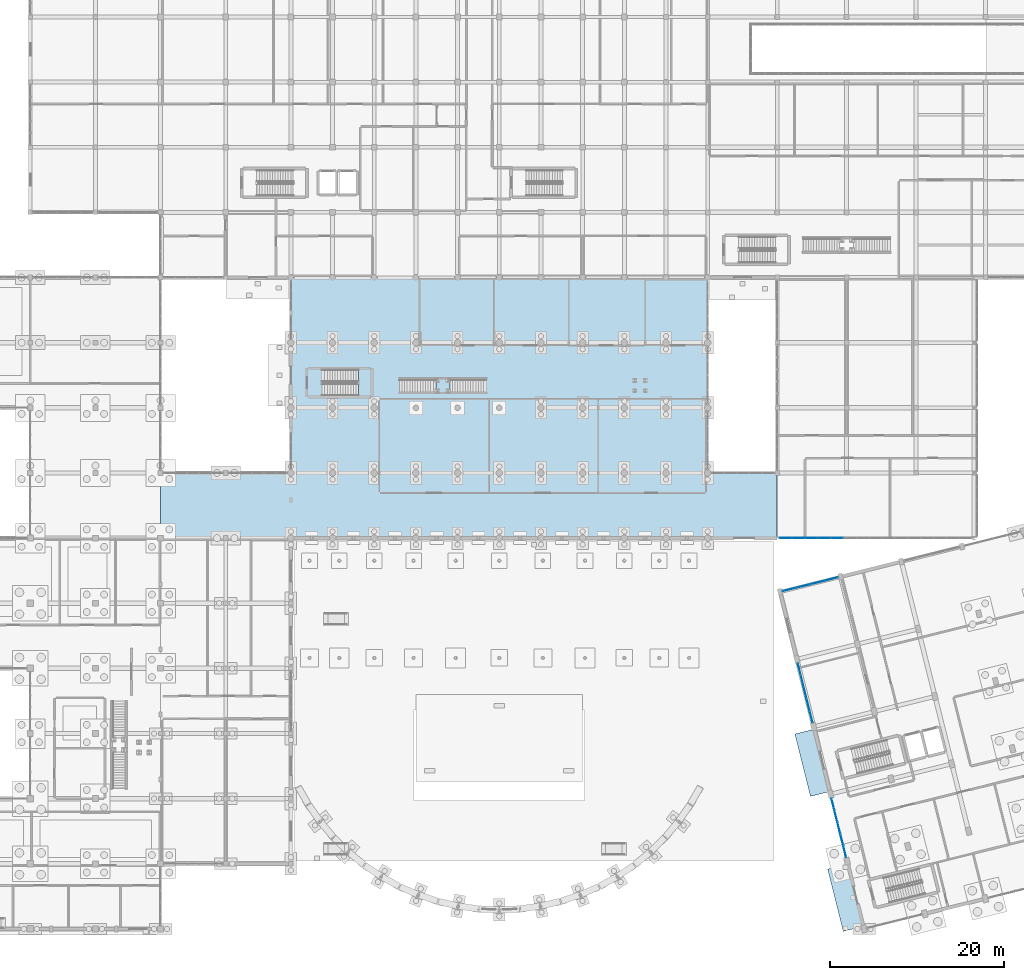
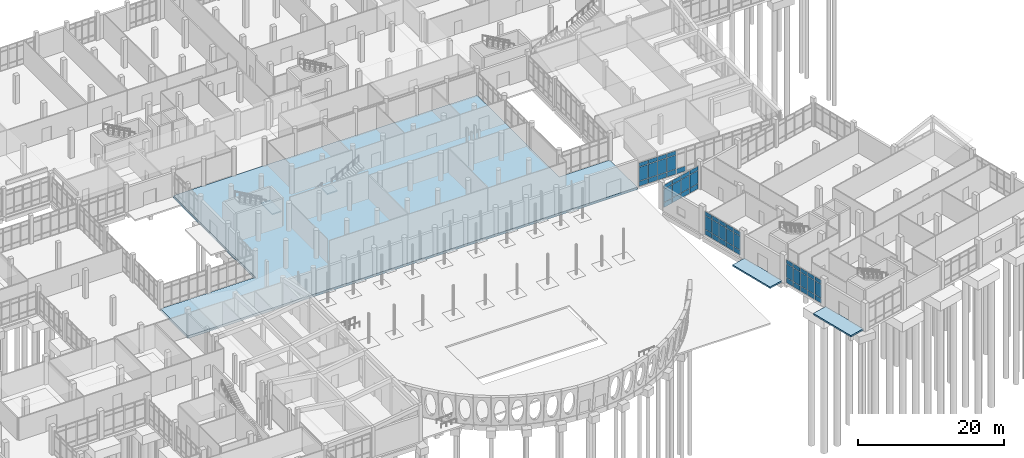
# One storey, part 131 of 173: 55 plates, 5 slabs, 6 elements without a shape of their own.
"""IFC4 building model written with IfcOpenShell, lengths in metres."""

from ifc_helpers import new_model, si_unit, direction, frame, origin, origin_2d, place, context, subcontext, project, spatial, polyline, rectangle, outline, extrude, material, layer, layer_set, type_object, element, aggregate, save


model = new_model("IFC4")

# Units and contexts
model_context = context("Model", 3, precision=1e-05, world=origin(), true_north=direction((0.0, 1.0)))
body_context = subcontext(model_context, "Body", "Model", "MODEL_VIEW")
ifc_project = project(units=[si_unit("LENGTHUNIT", "METRE"), si_unit("AREAUNIT", "SQUARE_METRE"), si_unit("VOLUMEUNIT", "CUBIC_METRE"), si_unit("PLANEANGLEUNIT", "RADIAN"), si_unit("MASSUNIT", "GRAM", prefix="KILO")], contexts=[model_context])

# Site, building, storey
site_placement = place(None, origin())
site = spatial("IfcSite", under=ifc_project, at=site_placement, CompositionType="ELEMENT")
building_placement = place(site_placement, origin())
building = spatial("IfcBuilding", under=site, at=building_placement, Name="Mawjan Specialist Oncology Clinic", CompositionType="ELEMENT")
storey_placement = place(building_placement, origin())
storey = spatial("IfcBuildingStorey", under=building, at=storey_placement, Name="L00", CompositionType="ELEMENT", Elevation=0.0)

# Slabs
ifc_material_1 = material(Name="Concrete C40/50", Category="concrete")
ifc_layer_1 = layer(ifc_material_1, 0.25, Name="Concrete C40/50", Category="concrete")
ifc_layer_set_1 = layer_set([ifc_layer_1], Name="Concrete C40/50")
slab_type_1 = type_object("IfcSlabType", Name="AP-250", PredefinedType="BASESLAB", material=ifc_layer_set_1)
slab_1_placement = place(storey_placement, frame((0.0, 0.0, -0.25)))
element("IfcSlab", 1, at=slab_1_placement, inside=storey, type_object=slab_type_1, Name="Ground Exterior Paved Apron SLB-APR-K6", PredefinedType="BASESLAB", context=body_context, shape_type="SweptSolid", body=[
    extrude(outline(polyline([(123.5986328125, 0.510498046875), (125.927490234375, 1.091064453125), (124.13720703125, 8.271240234375), (121.80859375, 7.690673828125), (123.5986328125, 0.510498046875)])), origin(), (0.0, 0.0, 1.0), 0.25),
])
slab_2_placement = place(storey_placement, frame((0.0, 0.0, -0.25)))
element("IfcSlab", 2, at=slab_2_placement, inside=storey, type_object=slab_type_1, Name="Ground Exterior Paved Apron SLB-APR-K5", PredefinedType="BASESLAB", context=body_context, shape_type="SweptSolid", body=[
    extrude(outline(polyline([(119.824951171875, 16.059326171875), (122.056640625, 16.61572265625), (120.266357421875, 23.7958984375), (118.03466796875, 23.239501953125), (119.824951171875, 16.059326171875)])), origin(), (0.0, 0.0, 1.0), 0.25),
])

# Curtain wall, plates
ifc_material_2 = material(Name="Unitised spectrally selective aluminium curtain wall", Category="aluminium")
ifc_layer_2 = layer(ifc_material_2, 0.179931640625, Name="Unitised spectrally selective aluminium curtain wall", Category="aluminium")
ifc_layer_set_2 = layer_set([ifc_layer_2], Name="Unitised spectrally selective aluminium curtain wall")
curtain_wall_type_1 = type_object("IfcCurtainWallType", Name="CW-20", PredefinedType="NOTDEFINED", material=ifc_layer_set_2)
curtain_wall_1_placement = place(storey_placement, origin())
curtain_wall_1 = element("IfcCurtainWall", 3, at=curtain_wall_1_placement, inside=storey, type_object=curtain_wall_type_1, Name="L00 Unitised Curtain Wall CW-L00-036", PredefinedType="NOTDEFINED")
ifc_material_3 = material(Name="Spectrally selective double low-E glazing", Category="glass")
ifc_layer_3 = layer(ifc_material_3, 0.035888671875, Name="Spectrally selective double low-E glazing", Category="glass")
ifc_layer_set_3 = layer_set([ifc_layer_3], Name="Spectrally selective double low-E glazing")
plate_type = type_object("IfcPlateType", Name="CW-P36", PredefinedType="CURTAIN_PANEL", material=ifc_layer_set_3)
plate_1_placement = place(storey_placement, frame((122.89453125, 45.800048828125, 0.06494140625), z_axis=(0.0, 0.0, 1.0), x_axis=(-1.0, 0.0, 0.0)))
plate_1 = element("IfcPlate", 4, at=plate_1_placement, type_object=plate_type, Name="CW-20 panel 11.1", PredefinedType="CURTAIN_PANEL", context=body_context, shape_type="SweptSolid", body=[
    extrude(rectangle(XDim=1.41943359375, YDim=0.035888671875, at=origin_2d()), origin(), (0.0, 0.0, 1.0), 0.802490234375),
])
plate_2_placement = place(storey_placement, frame((121.41015625, 45.800048828125, 0.06494140625), z_axis=(0.0, 0.0, 1.0), x_axis=(-1.0, 0.0, 0.0)))
plate_2 = element("IfcPlate", 5, at=plate_2_placement, type_object=plate_type, Name="CW-20 panel 12.1", PredefinedType="CURTAIN_PANEL", context=body_context, shape_type="SweptSolid", body=[
    extrude(rectangle(XDim=1.41943359375, YDim=0.035888671875, at=origin_2d()), origin(), (0.0, 0.0, 1.0), 0.802490234375),
])
plate_3_placement = place(storey_placement, frame((121.41015625, 45.800048828125, 0.932373046875), z_axis=(0.0, 0.0, 1.0), x_axis=(-1.0, 0.0, 0.0)))
plate_3 = element("IfcPlate", 6, at=plate_3_placement, type_object=plate_type, Name="CW-20 panel 12.2", PredefinedType="CURTAIN_PANEL", context=body_context, shape_type="SweptSolid", body=[
    extrude(rectangle(XDim=1.41943359375, YDim=0.035888671875, at=origin_2d()), origin(), (0.0, 0.0, 1.0), 2.3046875),
])
plate_4_placement = place(storey_placement, frame((121.41015625, 45.800048828125, 3.30224609375), z_axis=(0.0, 0.0, 1.0), x_axis=(-1.0, 0.0, 0.0)))
plate_4 = element("IfcPlate", 7, at=plate_4_placement, type_object=plate_type, Name="CW-20 panel 12.3", PredefinedType="CURTAIN_PANEL", context=body_context, shape_type="SweptSolid", body=[
    extrude(rectangle(XDim=1.41943359375, YDim=0.035888671875, at=origin_2d()), origin(), (0.0, 0.0, 1.0), 0.652587890625),
])
plate_5_placement = place(storey_placement, frame((119.92578125, 45.800048828125, 0.06494140625), z_axis=(0.0, 0.0, 1.0), x_axis=(-1.0, 0.0, 0.0)))
plate_5 = element("IfcPlate", 8, at=plate_5_placement, type_object=plate_type, Name="CW-20 panel 13.1", PredefinedType="CURTAIN_PANEL", context=body_context, shape_type="SweptSolid", body=[
    extrude(rectangle(XDim=1.41943359375, YDim=0.035888671875, at=origin_2d()), origin(), (0.0, 0.0, 1.0), 0.802490234375),
])
plate_6_placement = place(storey_placement, frame((119.92578125, 45.800048828125, 0.932373046875), z_axis=(0.0, 0.0, 1.0), x_axis=(-1.0, 0.0, 0.0)))
plate_6 = element("IfcPlate", 9, at=plate_6_placement, type_object=plate_type, Name="CW-20 panel 13.2", PredefinedType="CURTAIN_PANEL", context=body_context, shape_type="SweptSolid", body=[
    extrude(rectangle(XDim=1.41943359375, YDim=0.035888671875, at=origin_2d()), origin(), (0.0, 0.0, 1.0), 2.3046875),
])
plate_7_placement = place(storey_placement, frame((119.92578125, 45.800048828125, 3.30224609375), z_axis=(0.0, 0.0, 1.0), x_axis=(-1.0, 0.0, 0.0)))
plate_7 = element("IfcPlate", 10, at=plate_7_placement, type_object=plate_type, Name="CW-20 panel 13.3", PredefinedType="CURTAIN_PANEL", context=body_context, shape_type="SweptSolid", body=[
    extrude(rectangle(XDim=1.41943359375, YDim=0.035888671875, at=origin_2d()), origin(), (0.0, 0.0, 1.0), 0.652587890625),
])
plate_8_placement = place(storey_placement, frame((118.44140625, 45.800048828125, 0.06494140625), z_axis=(0.0, 0.0, 1.0), x_axis=(-1.0, 0.0, 0.0)))
plate_8 = element("IfcPlate", 11, at=plate_8_placement, type_object=plate_type, Name="CW-20 panel 14.1", PredefinedType="CURTAIN_PANEL", context=body_context, shape_type="SweptSolid", body=[
    extrude(rectangle(XDim=1.41943359375, YDim=0.035888671875, at=origin_2d()), origin(), (0.0, 0.0, 1.0), 0.802490234375),
])
plate_9_placement = place(storey_placement, frame((118.44140625, 45.800048828125, 0.932373046875), z_axis=(0.0, 0.0, 1.0), x_axis=(-1.0, 0.0, 0.0)))
plate_9 = element("IfcPlate", 12, at=plate_9_placement, type_object=plate_type, Name="CW-20 panel 14.2", PredefinedType="CURTAIN_PANEL", context=body_context, shape_type="SweptSolid", body=[
    extrude(rectangle(XDim=1.41943359375, YDim=0.035888671875, at=origin_2d()), origin(), (0.0, 0.0, 1.0), 2.3046875),
])
plate_10_placement = place(storey_placement, frame((118.44140625, 45.800048828125, 3.30224609375), z_axis=(0.0, 0.0, 1.0), x_axis=(-1.0, 0.0, 0.0)))
plate_10 = element("IfcPlate", 13, at=plate_10_placement, type_object=plate_type, Name="CW-20 panel 14.3", PredefinedType="CURTAIN_PANEL", context=body_context, shape_type="SweptSolid", body=[
    extrude(rectangle(XDim=1.41943359375, YDim=0.035888671875, at=origin_2d()), origin(), (0.0, 0.0, 1.0), 0.652587890625),
])
plate_11_placement = place(storey_placement, frame((116.973388671875, 45.800048828125, 0.06494140625), z_axis=(0.0, 0.0, 1.0), x_axis=(-1.0, 0.0, 0.0)))
plate_11 = element("IfcPlate", 14, at=plate_11_placement, type_object=plate_type, Name="CW-20 panel 15.1", PredefinedType="CURTAIN_PANEL", context=body_context, shape_type="SweptSolid", body=[
    extrude(rectangle(XDim=1.38671875, YDim=0.035888671875, at=origin_2d()), origin(), (0.0, 0.0, 1.0), 0.802490234375),
])
plate_12_placement = place(storey_placement, frame((116.973388671875, 45.800048828125, 0.932373046875), z_axis=(0.0, 0.0, 1.0), x_axis=(-1.0, 0.0, 0.0)))
plate_12 = element("IfcPlate", 15, at=plate_12_placement, type_object=plate_type, Name="CW-20 panel 15.2", PredefinedType="CURTAIN_PANEL", context=body_context, shape_type="SweptSolid", body=[
    extrude(rectangle(XDim=1.38671875, YDim=0.035888671875, at=origin_2d()), origin(), (0.0, 0.0, 1.0), 2.3046875),
])
plate_13_placement = place(storey_placement, frame((116.973388671875, 45.800048828125, 3.30224609375), z_axis=(0.0, 0.0, 1.0), x_axis=(-1.0, 0.0, 0.0)))
plate_13 = element("IfcPlate", 16, at=plate_13_placement, type_object=plate_type, Name="CW-20 panel 15.3", PredefinedType="CURTAIN_PANEL", context=body_context, shape_type="SweptSolid", body=[
    extrude(rectangle(XDim=1.38671875, YDim=0.035888671875, at=origin_2d()), origin(), (0.0, 0.0, 1.0), 0.652587890625),
])
aggregate(curtain_wall_1, [plate_1, plate_2, plate_3, plate_4, plate_5, plate_6, plate_7, plate_8, plate_9, plate_10, plate_11, plate_12, plate_13])

ifc_material_4 = material(Name="Unitised spectrally selective aluminium curtain wall", Category="aluminium")
ifc_layer_4 = layer(ifc_material_4, 0.179931640625, Name="Unitised spectrally selective aluminium curtain wall", Category="aluminium")
ifc_layer_set_4 = layer_set([ifc_layer_4], Name="Unitised spectrally selective aluminium curtain wall")
curtain_wall_type_2 = type_object("IfcCurtainWallType", Name="CW-38", PredefinedType="NOTDEFINED", material=ifc_layer_set_4)
curtain_wall_2_placement = place(storey_placement, origin())
curtain_wall_2 = element("IfcCurtainWall", 17, at=curtain_wall_2_placement, inside=storey, type_object=curtain_wall_type_2, Name="L00 Unitised Curtain Wall CW-L00-079", PredefinedType="NOTDEFINED")
plate_14_placement = place(storey_placement, frame((123.776123046875, 9.71923828125, 0.06494140625), z_axis=(0.0, 0.0, 1.0), x_axis=(-0.241922078835, 0.97029568059, 0.0)))
plate_14 = element("IfcPlate", 18, at=plate_14_placement, type_object=plate_type, Name="CW-38 panel 1.1", PredefinedType="CURTAIN_PANEL", context=body_context, shape_type="SweptSolid", body=[
    extrude(rectangle(XDim=1.314453125, YDim=0.035888671875, at=origin_2d()), origin(), (0.0, 0.0, 1.0), 0.802490234375),
])
plate_15_placement = place(storey_placement, frame((123.776123046875, 9.71923828125, 0.932373046875), z_axis=(0.0, 0.0, 1.0), x_axis=(-0.241922078835, 0.97029568059, 0.0)))
plate_15 = element("IfcPlate", 19, at=plate_15_placement, type_object=plate_type, Name="CW-38 panel 1.2", PredefinedType="CURTAIN_PANEL", context=body_context, shape_type="SweptSolid", body=[
    extrude(rectangle(XDim=1.314453125, YDim=0.035888671875, at=origin_2d()), origin(), (0.0, 0.0, 1.0), 2.27001953125),
])
plate_16_placement = place(storey_placement, frame((123.776123046875, 9.71923828125, 3.267578125), z_axis=(0.0, 0.0, 1.0), x_axis=(-0.241922078835, 0.97029568059, 0.0)))
plate_16 = element("IfcPlate", 20, at=plate_16_placement, type_object=plate_type, Name="CW-38 panel 1.3", PredefinedType="CURTAIN_PANEL", context=body_context, shape_type="SweptSolid", body=[
    extrude(rectangle(XDim=1.314453125, YDim=0.035888671875, at=origin_2d()), origin(), (0.0, 0.0, 1.0), 0.652587890625),
])
plate_17_placement = place(storey_placement, frame((123.4384765625, 11.073486328125, 0.06494140625), z_axis=(0.0, 0.0, 1.0), x_axis=(-0.241922078835, 0.97029568059, 0.0)))
plate_17 = element("IfcPlate", 21, at=plate_17_placement, type_object=plate_type, Name="CW-38 panel 2.1", PredefinedType="CURTAIN_PANEL", context=body_context, shape_type="SweptSolid", body=[
    extrude(rectangle(XDim=1.346923828125, YDim=0.035888671875, at=origin_2d()), origin(), (0.0, 0.0, 1.0), 0.802490234375),
])
plate_18_placement = place(storey_placement, frame((123.4384765625, 11.073486328125, 0.932373046875), z_axis=(0.0, 0.0, 1.0), x_axis=(-0.241922078835, 0.97029568059, 0.0)))
plate_18 = element("IfcPlate", 22, at=plate_18_placement, type_object=plate_type, Name="CW-38 panel 2.2", PredefinedType="CURTAIN_PANEL", context=body_context, shape_type="SweptSolid", body=[
    extrude(rectangle(XDim=1.346923828125, YDim=0.035888671875, at=origin_2d()), origin(), (0.0, 0.0, 1.0), 2.27001953125),
])
plate_19_placement = place(storey_placement, frame((123.4384765625, 11.073486328125, 3.267578125), z_axis=(0.0, 0.0, 1.0), x_axis=(-0.241922078835, 0.97029568059, 0.0)))
plate_19 = element("IfcPlate", 23, at=plate_19_placement, type_object=plate_type, Name="CW-38 panel 2.3", PredefinedType="CURTAIN_PANEL", context=body_context, shape_type="SweptSolid", body=[
    extrude(rectangle(XDim=1.346923828125, YDim=0.035888671875, at=origin_2d()), origin(), (0.0, 0.0, 1.0), 0.652587890625),
])
plate_20_placement = place(storey_placement, frame((123.096923828125, 12.443603515625, 0.06494140625), z_axis=(0.0, 0.0, 1.0), x_axis=(-0.241922078835, 0.97029568059, 0.0)))
plate_20 = element("IfcPlate", 24, at=plate_20_placement, type_object=plate_type, Name="CW-38 panel 3.1", PredefinedType="CURTAIN_PANEL", context=body_context, shape_type="SweptSolid", body=[
    extrude(rectangle(XDim=1.346923828125, YDim=0.035888671875, at=origin_2d()), origin(), (0.0, 0.0, 1.0), 0.802490234375),
])
plate_21_placement = place(storey_placement, frame((123.096923828125, 12.443603515625, 0.932373046875), z_axis=(0.0, 0.0, 1.0), x_axis=(-0.241922078835, 0.97029568059, 0.0)))
plate_21 = element("IfcPlate", 25, at=plate_21_placement, type_object=plate_type, Name="CW-38 panel 3.2", PredefinedType="CURTAIN_PANEL", context=body_context, shape_type="SweptSolid", body=[
    extrude(rectangle(XDim=1.346923828125, YDim=0.035888671875, at=origin_2d()), origin(), (0.0, 0.0, 1.0), 2.27001953125),
])
plate_22_placement = place(storey_placement, frame((123.096923828125, 12.443603515625, 3.267578125), z_axis=(0.0, 0.0, 1.0), x_axis=(-0.241922078835, 0.97029568059, 0.0)))
plate_22 = element("IfcPlate", 26, at=plate_22_placement, type_object=plate_type, Name="CW-38 panel 3.3", PredefinedType="CURTAIN_PANEL", context=body_context, shape_type="SweptSolid", body=[
    extrude(rectangle(XDim=1.346923828125, YDim=0.035888671875, at=origin_2d()), origin(), (0.0, 0.0, 1.0), 0.652587890625),
])
plate_23_placement = place(storey_placement, frame((122.75537109375, 13.813720703125, 0.06494140625), z_axis=(0.0, 0.0, 1.0), x_axis=(-0.241922078835, 0.97029568059, 0.0)))
plate_23 = element("IfcPlate", 27, at=plate_23_placement, type_object=plate_type, Name="CW-38 panel 4.1", PredefinedType="CURTAIN_PANEL", context=body_context, shape_type="SweptSolid", body=[
    extrude(rectangle(XDim=1.346923828125, YDim=0.035888671875, at=origin_2d()), origin(), (0.0, 0.0, 1.0), 0.802490234375),
])
plate_24_placement = place(storey_placement, frame((122.75537109375, 13.813720703125, 0.932373046875), z_axis=(0.0, 0.0, 1.0), x_axis=(-0.241922078835, 0.97029568059, 0.0)))
plate_24 = element("IfcPlate", 28, at=plate_24_placement, type_object=plate_type, Name="CW-38 panel 4.2", PredefinedType="CURTAIN_PANEL", context=body_context, shape_type="SweptSolid", body=[
    extrude(rectangle(XDim=1.346923828125, YDim=0.035888671875, at=origin_2d()), origin(), (0.0, 0.0, 1.0), 2.27001953125),
])
plate_25_placement = place(storey_placement, frame((122.75537109375, 13.813720703125, 3.267578125), z_axis=(0.0, 0.0, 1.0), x_axis=(-0.241922078835, 0.97029568059, 0.0)))
plate_25 = element("IfcPlate", 29, at=plate_25_placement, type_object=plate_type, Name="CW-38 panel 4.3", PredefinedType="CURTAIN_PANEL", context=body_context, shape_type="SweptSolid", body=[
    extrude(rectangle(XDim=1.346923828125, YDim=0.035888671875, at=origin_2d()), origin(), (0.0, 0.0, 1.0), 0.652587890625),
])
plate_26_placement = place(storey_placement, frame((122.417724609375, 15.16796875, 0.06494140625), z_axis=(0.0, 0.0, 1.0), x_axis=(-0.241922078835, 0.97029568059, 0.0)))
plate_26 = element("IfcPlate", 30, at=plate_26_placement, type_object=plate_type, Name="CW-38 panel 5.1", PredefinedType="CURTAIN_PANEL", context=body_context, shape_type="SweptSolid", body=[
    extrude(rectangle(XDim=1.314453125, YDim=0.035888671875, at=origin_2d()), origin(), (0.0, 0.0, 1.0), 0.802490234375),
])
plate_27_placement = place(storey_placement, frame((122.417724609375, 15.16796875, 0.932373046875), z_axis=(0.0, 0.0, 1.0), x_axis=(-0.241922078835, 0.97029568059, 0.0)))
plate_27 = element("IfcPlate", 31, at=plate_27_placement, type_object=plate_type, Name="CW-38 panel 5.2", PredefinedType="CURTAIN_PANEL", context=body_context, shape_type="SweptSolid", body=[
    extrude(rectangle(XDim=1.314453125, YDim=0.035888671875, at=origin_2d()), origin(), (0.0, 0.0, 1.0), 2.27001953125),
])
plate_28_placement = place(storey_placement, frame((122.417724609375, 15.16796875, 3.267578125), z_axis=(0.0, 0.0, 1.0), x_axis=(-0.241922078835, 0.97029568059, 0.0)))
plate_28 = element("IfcPlate", 32, at=plate_28_placement, type_object=plate_type, Name="CW-38 panel 5.3", PredefinedType="CURTAIN_PANEL", context=body_context, shape_type="SweptSolid", body=[
    extrude(rectangle(XDim=1.314453125, YDim=0.035888671875, at=origin_2d()), origin(), (0.0, 0.0, 1.0), 0.652587890625),
])
aggregate(curtain_wall_2, [plate_14, plate_15, plate_16, plate_17, plate_18, plate_19, plate_20, plate_21, plate_22, plate_23, plate_24, plate_25, plate_26, plate_27, plate_28])

ifc_material_5 = material(Name="Unitised spectrally selective aluminium curtain wall", Category="aluminium")
ifc_layer_5 = layer(ifc_material_5, 0.179931640625, Name="Unitised spectrally selective aluminium curtain wall", Category="aluminium")
ifc_layer_set_5 = layer_set([ifc_layer_5], Name="Unitised spectrally selective aluminium curtain wall")
curtain_wall_type_3 = type_object("IfcCurtainWallType", Name="CW-39", PredefinedType="NOTDEFINED", material=ifc_layer_set_5)
curtain_wall_3_placement = place(storey_placement, origin())
curtain_wall_3 = element("IfcCurtainWall", 33, at=curtain_wall_3_placement, inside=storey, type_object=curtain_wall_type_3, Name="L00 Unitised Curtain Wall CW-L00-080", PredefinedType="NOTDEFINED")
plate_29_placement = place(storey_placement, frame((119.90478515625, 25.246337890625, 0.06494140625), z_axis=(0.0, 0.0, 1.0), x_axis=(-0.24192205179, 0.970295687333, 0.0)))
plate_29 = element("IfcPlate", 34, at=plate_29_placement, type_object=plate_type, Name="CW-39 panel 1.1", PredefinedType="CURTAIN_PANEL", context=body_context, shape_type="SweptSolid", body=[
    extrude(rectangle(XDim=1.319580078125, YDim=0.035888671875, at=origin_2d()), origin(), (0.0, 0.0, 1.0), 0.802490234375),
])
plate_30_placement = place(storey_placement, frame((119.90478515625, 25.246337890625, 0.932373046875), z_axis=(0.0, 0.0, 1.0), x_axis=(-0.24192205179, 0.970295687333, 0.0)))
plate_30 = element("IfcPlate", 35, at=plate_30_placement, type_object=plate_type, Name="CW-39 panel 1.2", PredefinedType="CURTAIN_PANEL", context=body_context, shape_type="SweptSolid", body=[
    extrude(rectangle(XDim=1.319580078125, YDim=0.035888671875, at=origin_2d()), origin(), (0.0, 0.0, 1.0), 2.27001953125),
])
plate_31_placement = place(storey_placement, frame((119.90478515625, 25.246337890625, 3.267578125), z_axis=(0.0, 0.0, 1.0), x_axis=(-0.24192205179, 0.970295687333, 0.0)))
plate_31 = element("IfcPlate", 36, at=plate_31_placement, type_object=plate_type, Name="CW-39 panel 1.3", PredefinedType="CURTAIN_PANEL", context=body_context, shape_type="SweptSolid", body=[
    extrude(rectangle(XDim=1.319580078125, YDim=0.035888671875, at=origin_2d()), origin(), (0.0, 0.0, 1.0), 0.652587890625),
])
plate_32_placement = place(storey_placement, frame((119.56591796875, 26.60546875, 0.06494140625), z_axis=(0.0, 0.0, 1.0), x_axis=(-0.24192205179, 0.970295687333, 0.0)))
plate_32 = element("IfcPlate", 37, at=plate_32_placement, type_object=plate_type, Name="CW-39 panel 2.1", PredefinedType="CURTAIN_PANEL", context=body_context, shape_type="SweptSolid", body=[
    extrude(rectangle(XDim=1.35205078125, YDim=0.035888671875, at=origin_2d()), origin(), (0.0, 0.0, 1.0), 0.802490234375),
])
plate_33_placement = place(storey_placement, frame((119.56591796875, 26.60546875, 0.932373046875), z_axis=(0.0, 0.0, 1.0), x_axis=(-0.24192205179, 0.970295687333, 0.0)))
plate_33 = element("IfcPlate", 38, at=plate_33_placement, type_object=plate_type, Name="CW-39 panel 2.2", PredefinedType="CURTAIN_PANEL", context=body_context, shape_type="SweptSolid", body=[
    extrude(rectangle(XDim=1.35205078125, YDim=0.035888671875, at=origin_2d()), origin(), (0.0, 0.0, 1.0), 2.27001953125),
])
plate_34_placement = place(storey_placement, frame((119.56591796875, 26.60546875, 3.267578125), z_axis=(0.0, 0.0, 1.0), x_axis=(-0.24192205179, 0.970295687333, 0.0)))
plate_34 = element("IfcPlate", 39, at=plate_34_placement, type_object=plate_type, Name="CW-39 panel 2.3", PredefinedType="CURTAIN_PANEL", context=body_context, shape_type="SweptSolid", body=[
    extrude(rectangle(XDim=1.35205078125, YDim=0.035888671875, at=origin_2d()), origin(), (0.0, 0.0, 1.0), 0.652587890625),
])
plate_35_placement = place(storey_placement, frame((119.22314453125, 27.98046875, 0.06494140625), z_axis=(0.0, 0.0, 1.0), x_axis=(-0.24192205179, 0.970295687333, 0.0)))
plate_35 = element("IfcPlate", 40, at=plate_35_placement, type_object=plate_type, Name="CW-39 panel 3.1", PredefinedType="CURTAIN_PANEL", context=body_context, shape_type="SweptSolid", body=[
    extrude(rectangle(XDim=1.35205078125, YDim=0.035888671875, at=origin_2d()), origin(), (0.0, 0.0, 1.0), 0.802490234375),
])
plate_36_placement = place(storey_placement, frame((119.22314453125, 27.98046875, 0.932373046875), z_axis=(0.0, 0.0, 1.0), x_axis=(-0.24192205179, 0.970295687333, 0.0)))
plate_36 = element("IfcPlate", 41, at=plate_36_placement, type_object=plate_type, Name="CW-39 panel 3.2", PredefinedType="CURTAIN_PANEL", context=body_context, shape_type="SweptSolid", body=[
    extrude(rectangle(XDim=1.35205078125, YDim=0.035888671875, at=origin_2d()), origin(), (0.0, 0.0, 1.0), 2.27001953125),
])
plate_37_placement = place(storey_placement, frame((119.22314453125, 27.98046875, 3.267578125), z_axis=(0.0, 0.0, 1.0), x_axis=(-0.24192205179, 0.970295687333, 0.0)))
plate_37 = element("IfcPlate", 42, at=plate_37_placement, type_object=plate_type, Name="CW-39 panel 3.3", PredefinedType="CURTAIN_PANEL", context=body_context, shape_type="SweptSolid", body=[
    extrude(rectangle(XDim=1.35205078125, YDim=0.035888671875, at=origin_2d()), origin(), (0.0, 0.0, 1.0), 0.652587890625),
])
plate_38_placement = place(storey_placement, frame((118.88037109375, 29.355224609375, 0.06494140625), z_axis=(0.0, 0.0, 1.0), x_axis=(-0.24192205179, 0.970295687333, 0.0)))
plate_38 = element("IfcPlate", 43, at=plate_38_placement, type_object=plate_type, Name="CW-39 panel 4.1", PredefinedType="CURTAIN_PANEL", context=body_context, shape_type="SweptSolid", body=[
    extrude(rectangle(XDim=1.35205078125, YDim=0.035888671875, at=origin_2d()), origin(), (0.0, 0.0, 1.0), 0.802490234375),
])
plate_39_placement = place(storey_placement, frame((118.88037109375, 29.355224609375, 0.932373046875), z_axis=(0.0, 0.0, 1.0), x_axis=(-0.24192205179, 0.970295687333, 0.0)))
plate_39 = element("IfcPlate", 44, at=plate_39_placement, type_object=plate_type, Name="CW-39 panel 4.2", PredefinedType="CURTAIN_PANEL", context=body_context, shape_type="SweptSolid", body=[
    extrude(rectangle(XDim=1.35205078125, YDim=0.035888671875, at=origin_2d()), origin(), (0.0, 0.0, 1.0), 2.27001953125),
])
plate_40_placement = place(storey_placement, frame((118.88037109375, 29.355224609375, 3.267578125), z_axis=(0.0, 0.0, 1.0), x_axis=(-0.24192205179, 0.970295687333, 0.0)))
plate_40 = element("IfcPlate", 45, at=plate_40_placement, type_object=plate_type, Name="CW-39 panel 4.3", PredefinedType="CURTAIN_PANEL", context=body_context, shape_type="SweptSolid", body=[
    extrude(rectangle(XDim=1.35205078125, YDim=0.035888671875, at=origin_2d()), origin(), (0.0, 0.0, 1.0), 0.652587890625),
])
plate_41_placement = place(storey_placement, frame((118.54150390625, 30.71435546875, 0.06494140625), z_axis=(0.0, 0.0, 1.0), x_axis=(-0.24192205179, 0.970295687333, 0.0)))
plate_41 = element("IfcPlate", 46, at=plate_41_placement, type_object=plate_type, Name="CW-39 panel 5.1", PredefinedType="CURTAIN_PANEL", context=body_context, shape_type="SweptSolid", body=[
    extrude(rectangle(XDim=1.319580078125, YDim=0.035888671875, at=origin_2d()), origin(), (0.0, 0.0, 1.0), 0.802490234375),
])
plate_42_placement = place(storey_placement, frame((118.54150390625, 30.71435546875, 0.932373046875), z_axis=(0.0, 0.0, 1.0), x_axis=(-0.24192205179, 0.970295687333, 0.0)))
plate_42 = element("IfcPlate", 47, at=plate_42_placement, type_object=plate_type, Name="CW-39 panel 5.2", PredefinedType="CURTAIN_PANEL", context=body_context, shape_type="SweptSolid", body=[
    extrude(rectangle(XDim=1.319580078125, YDim=0.035888671875, at=origin_2d()), origin(), (0.0, 0.0, 1.0), 2.27001953125),
])
plate_43_placement = place(storey_placement, frame((118.54150390625, 30.71435546875, 3.267578125), z_axis=(0.0, 0.0, 1.0), x_axis=(-0.24192205179, 0.970295687333, 0.0)))
plate_43 = element("IfcPlate", 48, at=plate_43_placement, type_object=plate_type, Name="CW-39 panel 5.3", PredefinedType="CURTAIN_PANEL", context=body_context, shape_type="SweptSolid", body=[
    extrude(rectangle(XDim=1.319580078125, YDim=0.035888671875, at=origin_2d()), origin(), (0.0, 0.0, 1.0), 0.652587890625),
])
aggregate(curtain_wall_3, [plate_29, plate_30, plate_31, plate_32, plate_33, plate_34, plate_35, plate_36, plate_37, plate_38, plate_39, plate_40, plate_41, plate_42, plate_43])

ifc_material_6 = material(Name="Unitised spectrally selective aluminium curtain wall", Category="aluminium")
ifc_layer_6 = layer(ifc_material_6, 0.179931640625, Name="Unitised spectrally selective aluminium curtain wall", Category="aluminium")
ifc_layer_set_6 = layer_set([ifc_layer_6], Name="Unitised spectrally selective aluminium curtain wall")
curtain_wall_type_4 = type_object("IfcCurtainWallType", Name="CW-40", PredefinedType="NOTDEFINED", material=ifc_layer_set_6)
curtain_wall_4_placement = place(storey_placement, origin())
curtain_wall_4 = element("IfcCurtainWall", 49, at=curtain_wall_4_placement, inside=storey, type_object=curtain_wall_type_4, Name="L00 Unitised Curtain Wall CW-L00-081", PredefinedType="NOTDEFINED")
plate_44_placement = place(storey_placement, frame((117.40869140625, 39.882568359375, 0.06494140625), z_axis=(0.0, 0.0, 1.0), x_axis=(0.970295680134, 0.241922080664, 0.0)))
plate_44 = element("IfcPlate", 50, at=plate_44_placement, type_object=plate_type, Name="CW-40 panel 1.1", PredefinedType="CURTAIN_PANEL", context=body_context, shape_type="SweptSolid", body=[
    extrude(rectangle(XDim=1.5673828125, YDim=0.035888671875, at=origin_2d()), origin(), (0.0, 0.0, 1.0), 0.802490234375),
])
plate_45_placement = place(storey_placement, frame((117.40869140625, 39.882568359375, 0.9326171875), z_axis=(0.0, 0.0, 1.0), x_axis=(0.970295680134, 0.241922080664, 0.0)))
plate_45 = element("IfcPlate", 51, at=plate_45_placement, type_object=plate_type, Name="CW-40 panel 1.2", PredefinedType="CURTAIN_PANEL", context=body_context, shape_type="SweptSolid", body=[
    extrude(rectangle(XDim=1.5673828125, YDim=0.035888671875, at=origin_2d()), origin(), (0.0, 0.0, 1.0), 2.169921875),
])
plate_46_placement = place(storey_placement, frame((117.40869140625, 39.882568359375, 3.16748046875), z_axis=(0.0, 0.0, 1.0), x_axis=(0.970295680134, 0.241922080664, 0.0)))
plate_46 = element("IfcPlate", 52, at=plate_46_placement, type_object=plate_type, Name="CW-40 panel 1.3", PredefinedType="CURTAIN_PANEL", context=body_context, shape_type="SweptSolid", body=[
    extrude(rectangle(XDim=1.5673828125, YDim=0.035888671875, at=origin_2d()), origin(), (0.0, 0.0, 1.0), 0.652587890625),
])
plate_47_placement = place(storey_placement, frame((119.00830078125, 40.28125, 0.06494140625), z_axis=(0.0, 0.0, 1.0), x_axis=(0.970295680134, 0.241922080664, 0.0)))
plate_47 = element("IfcPlate", 53, at=plate_47_placement, type_object=plate_type, Name="CW-40 panel 2.1", PredefinedType="CURTAIN_PANEL", context=body_context, shape_type="SweptSolid", body=[
    extrude(rectangle(XDim=1.60009765625, YDim=0.035888671875, at=origin_2d()), origin(), (0.0, 0.0, 1.0), 0.802490234375),
])
plate_48_placement = place(storey_placement, frame((119.00830078125, 40.28125, 0.9326171875), z_axis=(0.0, 0.0, 1.0), x_axis=(0.970295680134, 0.241922080664, 0.0)))
plate_48 = element("IfcPlate", 54, at=plate_48_placement, type_object=plate_type, Name="CW-40 panel 2.2", PredefinedType="CURTAIN_PANEL", context=body_context, shape_type="SweptSolid", body=[
    extrude(rectangle(XDim=1.60009765625, YDim=0.035888671875, at=origin_2d()), origin(), (0.0, 0.0, 1.0), 2.169921875),
])
plate_49_placement = place(storey_placement, frame((119.00830078125, 40.28125, 3.16748046875), z_axis=(0.0, 0.0, 1.0), x_axis=(0.970295680134, 0.241922080664, 0.0)))
plate_49 = element("IfcPlate", 55, at=plate_49_placement, type_object=plate_type, Name="CW-40 panel 2.3", PredefinedType="CURTAIN_PANEL", context=body_context, shape_type="SweptSolid", body=[
    extrude(rectangle(XDim=1.60009765625, YDim=0.035888671875, at=origin_2d()), origin(), (0.0, 0.0, 1.0), 0.652587890625),
])
plate_50_placement = place(storey_placement, frame((120.6240234375, 40.68408203125, 0.06494140625), z_axis=(0.0, 0.0, 1.0), x_axis=(0.970295680134, 0.241922080664, 0.0)))
plate_50 = element("IfcPlate", 56, at=plate_50_placement, type_object=plate_type, Name="CW-40 panel 3.1", PredefinedType="CURTAIN_PANEL", context=body_context, shape_type="SweptSolid", body=[
    extrude(rectangle(XDim=1.60009765625, YDim=0.035888671875, at=origin_2d()), origin(), (0.0, 0.0, 1.0), 0.802490234375),
])
plate_51_placement = place(storey_placement, frame((120.6240234375, 40.68408203125, 0.9326171875), z_axis=(0.0, 0.0, 1.0), x_axis=(0.970295680134, 0.241922080664, 0.0)))
plate_51 = element("IfcPlate", 57, at=plate_51_placement, type_object=plate_type, Name="CW-40 panel 3.2", PredefinedType="CURTAIN_PANEL", context=body_context, shape_type="SweptSolid", body=[
    extrude(rectangle(XDim=1.60009765625, YDim=0.035888671875, at=origin_2d()), origin(), (0.0, 0.0, 1.0), 2.169921875),
])
plate_52_placement = place(storey_placement, frame((120.6240234375, 40.68408203125, 3.16748046875), z_axis=(0.0, 0.0, 1.0), x_axis=(0.970295680134, 0.241922080664, 0.0)))
plate_52 = element("IfcPlate", 58, at=plate_52_placement, type_object=plate_type, Name="CW-40 panel 3.3", PredefinedType="CURTAIN_PANEL", context=body_context, shape_type="SweptSolid", body=[
    extrude(rectangle(XDim=1.60009765625, YDim=0.035888671875, at=origin_2d()), origin(), (0.0, 0.0, 1.0), 0.652587890625),
])
plate_53_placement = place(storey_placement, frame((122.2236328125, 41.0830078125, 0.06494140625), z_axis=(0.0, 0.0, 1.0), x_axis=(0.970295680134, 0.241922080664, 0.0)))
plate_53 = element("IfcPlate", 59, at=plate_53_placement, type_object=plate_type, Name="CW-40 panel 4.1", PredefinedType="CURTAIN_PANEL", context=body_context, shape_type="SweptSolid", body=[
    extrude(rectangle(XDim=1.5673828125, YDim=0.035888671875, at=origin_2d()), origin(), (0.0, 0.0, 1.0), 0.802490234375),
])
plate_54_placement = place(storey_placement, frame((122.2236328125, 41.0830078125, 0.9326171875), z_axis=(0.0, 0.0, 1.0), x_axis=(0.970295680134, 0.241922080664, 0.0)))
plate_54 = element("IfcPlate", 60, at=plate_54_placement, type_object=plate_type, Name="CW-40 panel 4.2", PredefinedType="CURTAIN_PANEL", context=body_context, shape_type="SweptSolid", body=[
    extrude(rectangle(XDim=1.5673828125, YDim=0.035888671875, at=origin_2d()), origin(), (0.0, 0.0, 1.0), 2.169921875),
])
plate_55_placement = place(storey_placement, frame((122.2236328125, 41.0830078125, 3.16748046875), z_axis=(0.0, 0.0, 1.0), x_axis=(0.970295680134, 0.241922080664, 0.0)))
plate_55 = element("IfcPlate", 61, at=plate_55_placement, type_object=plate_type, Name="CW-40 panel 4.3", PredefinedType="CURTAIN_PANEL", context=body_context, shape_type="SweptSolid", body=[
    extrude(rectangle(XDim=1.5673828125, YDim=0.035888671875, at=origin_2d()), origin(), (0.0, 0.0, 1.0), 0.652587890625),
])
aggregate(curtain_wall_4, [plate_44, plate_45, plate_46, plate_47, plate_48, plate_49, plate_50, plate_51, plate_52, plate_53, plate_54, plate_55])

# Slab
ifc_material_7 = material(Name="Concrete C40/50", Category="concrete")
ifc_layer_7 = layer(ifc_material_7, 0.419921875, Name="Concrete C40/50", Category="concrete")
ifc_layer_set_7 = layer_set([ifc_layer_7], Name="Concrete C40/50")
slab_type_2 = type_object("IfcSlabType", Name="FS-420", PredefinedType="BASESLAB", material=ifc_layer_set_7)
slab_3_placement = place(storey_placement, frame((0.0, 0.0, -0.419921875)))
element("IfcSlab", 62, at=slab_3_placement, inside=storey, type_object=slab_type_2, Name="L00 Treatment and Infusion Hall Slab SLB-V1-L00", PredefinedType="BASESLAB", context=body_context, shape_type="SweptSolid", body=[
    extrude(outline(polyline([(45.0, 45.800048828125), (116.0, 45.800048828125), (116.0, 53.300048828125), (108.0, 53.300048828125), (108.0, 75.800048828125), (60.0, 75.800048828125), (60.0, 53.300048828125), (45.0, 53.300048828125), (45.0, 45.800048828125)])), origin(), (0.0, 0.0, 1.0), 0.419921875),
])

# Stair, slab
ifc_material_8 = material(Name="Concrete C35/45", Category="concrete")
stair_type_1 = type_object("IfcStairType", Name="STR-CORE50", PredefinedType="HALF_TURN_STAIR", material=ifc_material_8)
stair_1_placement = place(storey_placement, origin())
stair_1 = element("IfcStair", 63, at=stair_1_placement, inside=storey, type_object=stair_type_1, Name="L00 Exit Stair ST-07", PredefinedType="HALF_TURN_STAIR")
ifc_material_9 = material(Name="Concrete C35/45", Category="concrete")
ifc_layer_8 = layer(ifc_material_9, 0.199951171875, Name="Concrete C35/45", Category="concrete")
ifc_layer_set_8 = layer_set([ifc_layer_8], Name="Concrete C35/45")
slab_type_3 = type_object("IfcSlabType", Name="LND-200", PredefinedType="LANDING", material=ifc_layer_set_8)
slab_4_placement = place(storey_placement, frame((0.0, 0.0, 2.300048828125)))
slab_4 = element("IfcSlab", 64, at=slab_4_placement, type_object=slab_type_3, Name="ST-07 landing 1", PredefinedType="LANDING", context=body_context, shape_type="SweptSolid", body=[
    extrude(outline(polyline([(67.774658203125, 62.1455078125), (69.225341796875, 62.1455078125), (69.225341796875, 65.25439453125), (67.774658203125, 65.25439453125), (67.774658203125, 62.1455078125)])), origin(), (0.0, 0.0, 1.0), 0.199951171875),
])
aggregate(stair_1, [slab_4])

ifc_material_10 = material(Name="Concrete C35/45", Category="concrete")
stair_type_2 = type_object("IfcStairType", Name="STR-COMM", PredefinedType="STRAIGHT_RUN_STAIR", material=ifc_material_10)
stair_2_placement = place(storey_placement, origin())
stair_2 = element("IfcStair", 65, at=stair_2_placement, inside=storey, type_object=stair_type_2, Name="Infusion Hall Communicating Stair ST-09", PredefinedType="STRAIGHT_RUN_STAIR")
slab_5_placement = place(storey_placement, frame((0.0, 0.0, 2.300048828125)))
slab_5 = element("IfcSlab", 66, at=slab_5_placement, type_object=slab_type_3, Name="ST-09 landing 1", PredefinedType="LANDING", context=body_context, shape_type="SweptSolid", body=[
    extrude(outline(polyline([(76.699951171875, 62.56494140625), (78.300048828125, 62.56494140625), (78.300048828125, 64.135009765625), (76.699951171875, 64.135009765625), (76.699951171875, 62.56494140625)])), origin(), (0.0, 0.0, 1.0), 0.199951171875),
])
aggregate(stair_2, [slab_5])

save(model, "model.ifc")
